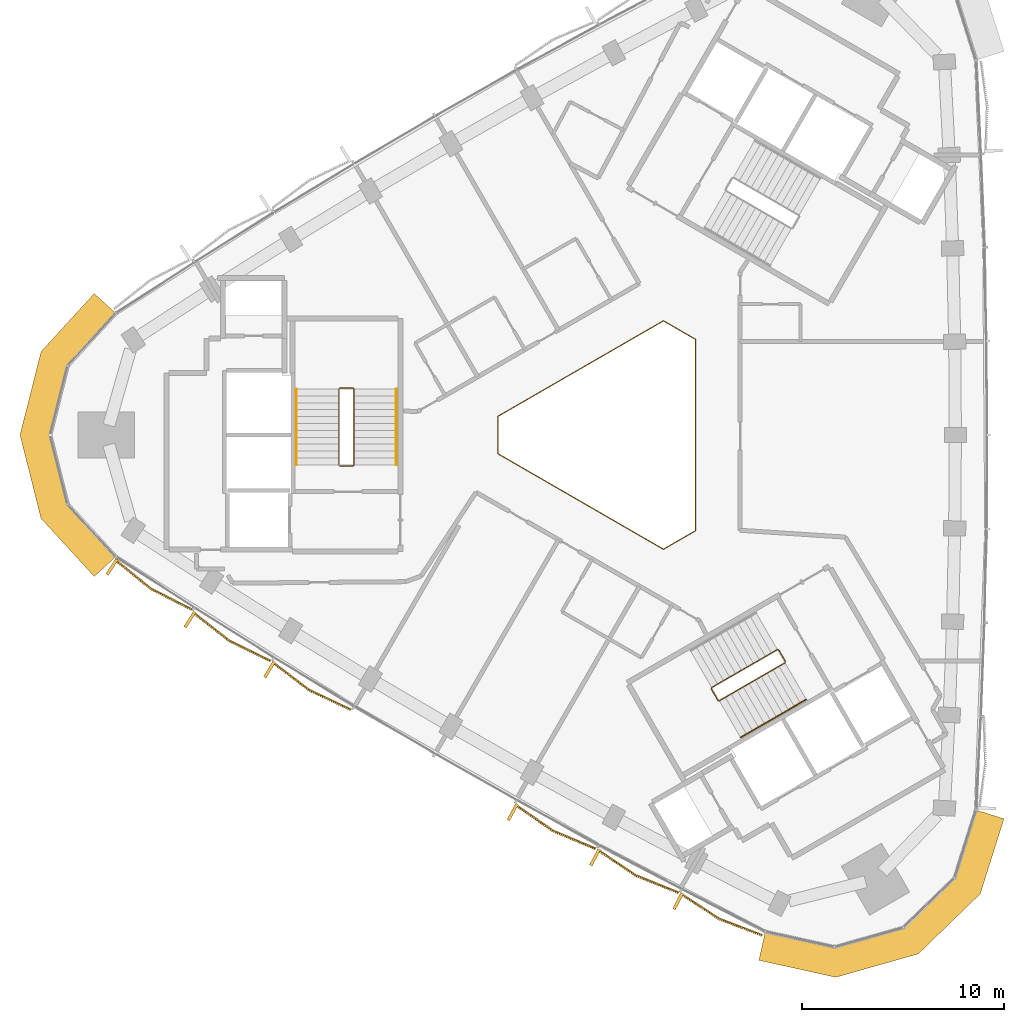
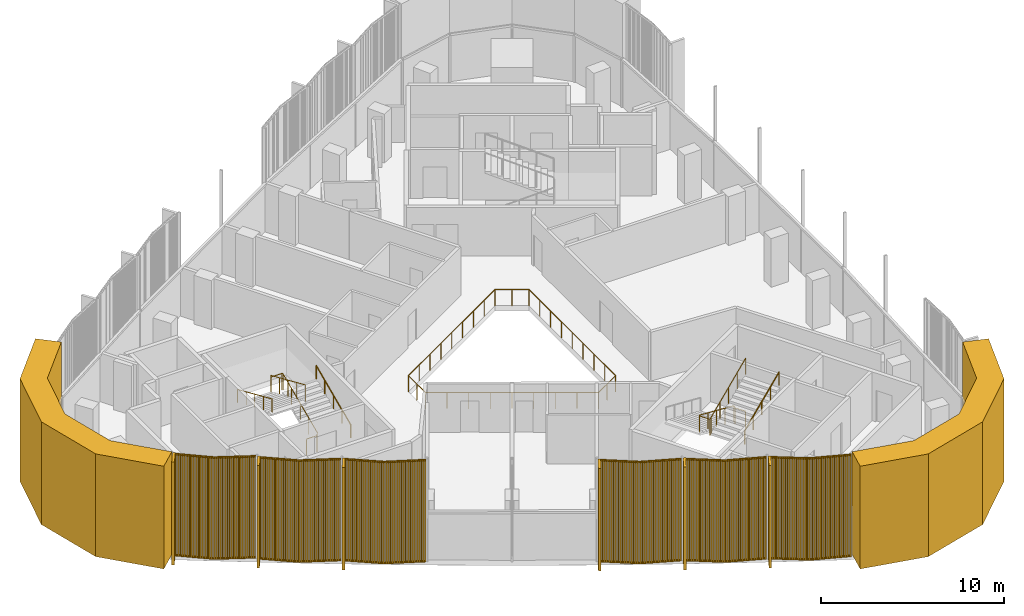
# One storey, part 12 of 14: 8 coverings, 6 railings.
"""IFC4 building model written with IfcOpenShell, lengths in metres."""

from ifc_helpers import new_model, si_unit, direction, frame, frame_2d, origin, origin_2d, place, context, subcontext, project, spatial, polyline, rectangle, circle, outline, extrude, source, transform, mapped, material, layer, layer_set, type_object, element, save


model = new_model("IFC4")

# Units and contexts
model_context = context("Model", 3, precision=1e-05, world=origin(), true_north=direction((0.0, 1.0)))
body_context = subcontext(model_context, "Body", "Model", "MODEL_VIEW")
ifc_project = project(units=[si_unit("LENGTHUNIT", "METRE"), si_unit("AREAUNIT", "SQUARE_METRE"), si_unit("VOLUMEUNIT", "CUBIC_METRE"), si_unit("PLANEANGLEUNIT", "RADIAN"), si_unit("MASSUNIT", "GRAM", prefix="KILO")], contexts=[model_context])

# Site, building, storey
site_placement = place(None, origin())
site = spatial("IfcSite", under=ifc_project, at=site_placement, CompositionType="ELEMENT")
building_placement = place(site_placement, origin())
building = spatial("IfcBuilding", under=site, at=building_placement, Name="Tamra Quay Hotel Tower", CompositionType="ELEMENT")
storey_placement = place(building_placement, frame((0.0, 0.0, 221.39990234375)))
storey = spatial("IfcBuildingStorey", under=building, at=storey_placement, Name="L55", CompositionType="ELEMENT", Elevation=221.39990234375)

# Coverings
ifc_material_1 = material(Name="Precast concrete M60 terracotta-coloured", Category="masonry")
ifc_layer = layer(ifc_material_1, 1.449951171875)
ifc_layer_set = layer_set([ifc_layer], Name="CORNER PIER PANEL")
covering_type_1 = type_object("IfcCoveringType", Name="CORNER PIER PANEL", PredefinedType="CLADDING", material=ifc_layer_set)
covering_1_placement = place(storey_placement, origin())
element("IfcCovering", 1, at=covering_1_placement, inside=storey, type_object=covering_type_1, Name="Corner pier L55.north-west", PredefinedType="CLADDING", context=body_context, shape_type="SweptSolid", body=[
    extrude(outline(polyline([(-24.941650390625, 6.034423828125), (-26.010986328125, 7.013916015625), (-28.645751953125, 4.13720703125), (-29.689697265625, 0.0), (-28.645751953125, -4.13720703125), (-26.010986328125, -7.013916015625), (-24.941650390625, -6.034423828125), (-27.329345703125, -3.427490234375), (-28.1943359375, 0.0), (-27.329345703125, 3.427490234375), (-24.941650390625, 6.034423828125)])), origin(), (0.0, 0.0, 1.0), 6.85009765625),
])
covering_2_placement = place(storey_placement, origin())
element("IfcCovering", 2, at=covering_2_placement, inside=storey, type_object=covering_type_1, Name="Corner pier L55.south-west", PredefinedType="CLADDING", context=body_context, shape_type="SweptSolid", body=[
    extrude(outline(polyline([(7.244873046875, -24.617431640625), (6.931396484375, -26.033203125), (10.739990234375, -26.876708984375), (14.844970703125, -25.712158203125), (17.90576171875, -22.739501953125), (19.07958984375, -19.019287109375), (17.69677734375, -18.5830078125), (16.633056640625, -21.9541015625), (14.09716796875, -24.4169921875), (10.6962890625, -25.3818359375), (7.244873046875, -24.617431640625)])), origin(), (0.0, 0.0, 1.0), 6.85009765625),
])

# Railings
ifc_material_2 = material(Name="Guard atrium edge 1100")
railing_type_1 = type_object("IfcRailingType", Name="Guard atrium edge 1100", PredefinedType="GUARDRAIL", material=ifc_material_2)
railing_1_placement = place(storey_placement, frame((3.800048828125, -4.73388671875, 0.0)))
element("IfcRailing", 3, at=railing_1_placement, inside=storey, type_object=railing_type_1, Name="G-A", PredefinedType="GUARDRAIL", context=body_context, shape_type="SweptSolid", body=[
    extrude(circle(Radius=0.02392578125, at=origin_2d()), frame((0.0, 0.0, 1.076171875), z_axis=(-0.865965533559, -0.500103683937, 0.0), x_axis=(0.500103683937, -0.865965533559, 0.0)), (0.0, 0.0, 1.0), 1.84765625),
    extrude(circle(Radius=0.02392578125, at=origin_2d()), frame((-1.60009765625, -0.924072265625, 1.076171875), z_axis=(-0.86604174356, 0.49997169761, 0.0), x_axis=(-0.49997169761, -0.86604174356, 0.0)), (0.0, 0.0, 1.0), 9.46826171875),
    extrude(circle(Radius=0.02392578125, at=origin_2d()), frame((-9.800048828125, 3.809814453125, 1.076171875), z_axis=(0.0, 1.0, 0.0), x_axis=(-1.0, 0.0, 0.0)), (0.0, 0.0, 1.0), 1.84814453125),
    extrude(circle(Radius=0.02392578125, at=origin_2d()), frame((-9.800048828125, 5.657958984375, 1.076171875), z_axis=(0.86604174356, 0.49997169761, 0.0), x_axis=(-0.49997169761, 0.86604174356, 0.0)), (0.0, 0.0, 1.0), 9.46826171875),
    extrude(circle(Radius=0.02392578125, at=origin_2d()), frame((-1.60009765625, 10.391845703125, 1.076171875), z_axis=(0.865965533559, -0.500103683937, 0.0), x_axis=(0.500103683937, 0.865965533559, 0.0)), (0.0, 0.0, 1.0), 1.84765625),
    extrude(circle(Radius=0.02392578125, at=origin_2d()), frame((0.0, 9.4677734375, 1.076171875), z_axis=(0.0, -1.0, 0.0), x_axis=(1.0, 0.0, 0.0)), (0.0, 0.0, 1.0), 9.4677734375),
    extrude(circle(Radius=0.02099609375, at=origin_2d()), origin(), (0.0, 0.0, 1.0), 1.052001953125),
    extrude(circle(Radius=0.02099609375, at=origin_2d()), frame((-0.800048828125, -0.4619140625, 0.0)), (0.0, 0.0, 1.0), 1.052001953125),
    extrude(circle(Radius=0.02099609375, at=origin_2d()), frame((-1.60009765625, -0.924072265625, 0.0)), (0.0, 0.0, 1.0), 1.052001953125),
    extrude(circle(Radius=0.02099609375, at=origin_2d()), frame((-2.625, -0.332275390625, 0.0)), (0.0, 0.0, 1.0), 1.052001953125),
    extrude(circle(Radius=0.02099609375, at=origin_2d()), frame((-3.650146484375, 0.25927734375, 0.0)), (0.0, 0.0, 1.0), 1.052001953125),
    extrude(circle(Radius=0.02099609375, at=origin_2d()), frame((-4.675048828125, 0.85107421875, 0.0)), (0.0, 0.0, 1.0), 1.052001953125),
    extrude(circle(Radius=0.02099609375, at=origin_2d()), frame((-5.7001953125, 1.44287109375, 0.0)), (0.0, 0.0, 1.0), 1.052001953125),
    extrude(circle(Radius=0.02099609375, at=origin_2d()), frame((-6.72509765625, 2.03466796875, 0.0)), (0.0, 0.0, 1.0), 1.052001953125),
    extrude(circle(Radius=0.02099609375, at=origin_2d()), frame((-7.75, 2.62646484375, 0.0)), (0.0, 0.0, 1.0), 1.052001953125),
    extrude(circle(Radius=0.02099609375, at=origin_2d()), frame((-8.775146484375, 3.218017578125, 0.0)), (0.0, 0.0, 1.0), 1.052001953125),
    extrude(circle(Radius=0.02099609375, at=origin_2d()), frame((-9.800048828125, 3.809814453125, 0.0)), (0.0, 0.0, 1.0), 1.052001953125),
    extrude(circle(Radius=0.02099609375, at=origin_2d()), frame((-9.800048828125, 4.73388671875, 0.0)), (0.0, 0.0, 1.0), 1.052001953125),
    extrude(circle(Radius=0.02099609375, at=origin_2d()), frame((-9.800048828125, 5.657958984375, 0.0)), (0.0, 0.0, 1.0), 1.052001953125),
    extrude(circle(Radius=0.02099609375, at=origin_2d()), frame((-8.775146484375, 6.249755859375, 0.0)), (0.0, 0.0, 1.0), 1.052001953125),
    extrude(circle(Radius=0.02099609375, at=origin_2d()), frame((-7.75, 6.84130859375, 0.0)), (0.0, 0.0, 1.0), 1.052001953125),
    extrude(circle(Radius=0.02099609375, at=origin_2d()), frame((-6.72509765625, 7.43310546875, 0.0)), (0.0, 0.0, 1.0), 1.052001953125),
    extrude(circle(Radius=0.02099609375, at=origin_2d()), frame((-5.7001953125, 8.02490234375, 0.0)), (0.0, 0.0, 1.0), 1.052001953125),
    extrude(circle(Radius=0.02099609375, at=origin_2d()), frame((-4.675048828125, 8.61669921875, 0.0)), (0.0, 0.0, 1.0), 1.052001953125),
    extrude(circle(Radius=0.02099609375, at=origin_2d()), frame((-3.650146484375, 9.20849609375, 0.0)), (0.0, 0.0, 1.0), 1.052001953125),
    extrude(circle(Radius=0.02099609375, at=origin_2d()), frame((-2.625, 9.800048828125, 0.0)), (0.0, 0.0, 1.0), 1.052001953125),
    extrude(circle(Radius=0.02099609375, at=origin_2d()), frame((-1.60009765625, 10.391845703125, 0.0)), (0.0, 0.0, 1.0), 1.052001953125),
    extrude(circle(Radius=0.02099609375, at=origin_2d()), frame((-0.800048828125, 9.9296875, 0.0)), (0.0, 0.0, 1.0), 1.052001953125),
    extrude(circle(Radius=0.02099609375, at=origin_2d()), frame((0.0, 9.4677734375, 0.0)), (0.0, 0.0, 1.0), 1.052001953125),
    extrude(circle(Radius=0.02099609375, at=origin_2d()), frame((0.0, 8.2841796875, 0.0)), (0.0, 0.0, 1.0), 1.052001953125),
    extrude(circle(Radius=0.02099609375, at=origin_2d()), frame((0.0, 7.100830078125, 0.0)), (0.0, 0.0, 1.0), 1.052001953125),
    extrude(circle(Radius=0.02099609375, at=origin_2d()), frame((0.0, 5.91748046875, 0.0)), (0.0, 0.0, 1.0), 1.052001953125),
    extrude(circle(Radius=0.02099609375, at=origin_2d()), frame((0.0, 4.73388671875, 0.0)), (0.0, 0.0, 1.0), 1.052001953125),
    extrude(circle(Radius=0.02099609375, at=origin_2d()), frame((0.0, 3.55029296875, 0.0)), (0.0, 0.0, 1.0), 1.052001953125),
    extrude(circle(Radius=0.02099609375, at=origin_2d()), frame((0.0, 2.366943359375, 0.0)), (0.0, 0.0, 1.0), 1.052001953125),
    extrude(circle(Radius=0.02099609375, at=origin_2d()), frame((0.0, 1.18359375, 0.0)), (0.0, 0.0, 1.0), 1.052001953125),
])
ifc_material_3 = material(Name="Stair guard 1100")
railing_type_2 = type_object("IfcRailingType", Name="Stair guard 1100", PredefinedType="GUARDRAIL", material=ifc_material_3)
railing_2_placement = place(storey_placement, frame((-13.84130859375, -1.530029296875, 0.0)))
element("IfcRailing", 4, at=railing_2_placement, inside=storey, type_object=railing_type_2, Name="GR", PredefinedType="GUARDRAIL", context=body_context, shape_type="SweptSolid", body=[
    extrude(circle(Radius=0.02392578125, at=origin_2d()), frame((0.0, 0.0, 1.076171875), z_axis=(1.0, 0.0, 0.0), x_axis=(0.0, 1.0, 0.0)), (0.0, 0.0, 1.0), 0.658935546875),
    extrude(circle(Radius=0.02392578125, at=origin_2d()), frame((0.658935546875, 0.0, 1.076171875), z_axis=(0.301511344578, 0.301511344578, 0.904534033733), x_axis=(-0.707106781187, 0.707106781187, 0.0)), (0.0, 0.0, 1.0), 0.166015625),
    extrude(circle(Radius=0.02392578125, at=origin_2d()), frame((0.708984375, 0.050048828125, 1.22607421875), z_axis=(0.0, 0.915795495799, 0.401644880304), x_axis=(-1.0, 0.0, 0.0)), (0.0, 0.0, 1.0), 4.10791015625),
    extrude(circle(Radius=0.02392578125, at=origin_2d()), frame((0.708984375, 3.81201171875, 2.8759765625), z_axis=(-0.708833529934, 0.705375805398, 0.0), x_axis=(-0.705375805398, -0.708833529934, 0.0)), (0.0, 0.0, 1.0), 0.070556640625),
    extrude(circle(Radius=0.02392578125, at=origin_2d()), frame((0.658935546875, 3.86181640625, 2.8759765625), z_axis=(-1.0, 0.0, 0.0), x_axis=(0.0, -1.0, 0.0)), (0.0, 0.0, 1.0), 0.658935546875),
    extrude(circle(Radius=0.02392578125, at=origin_2d()), frame((0.0, 3.86181640625, 2.8759765625), z_axis=(-0.301644814947, -0.300173376825, 0.904934444842), x_axis=(0.705375805398, -0.708833529934, 0.0)), (0.0, 0.0, 1.0), 0.166015625),
    extrude(circle(Radius=0.02392578125, at=origin_2d()), frame((-0.050048828125, 3.81201171875, 3.0263671875), z_axis=(0.0, -0.915795495799, 0.401644880304), x_axis=(1.0, 0.0, 0.0)), (0.0, 0.0, 1.0), 4.10791015625),
    extrude(circle(Radius=0.02099609375, at=origin_2d()), origin(), (0.0, 0.0, 1.0), 1.052001953125),
    extrude(circle(Radius=0.02099609375, at=origin_2d()), frame((0.658935546875, 0.0, 0.0)), (0.0, 0.0, 1.0), 1.052001953125),
    extrude(circle(Radius=0.02099609375, at=origin_2d()), frame((0.708984375, 0.050048828125, 0.150146484375)), (0.0, 0.0, 1.0), 1.052001953125),
    extrude(circle(Radius=0.02099609375, at=origin_2d()), frame((0.708984375, 0.990478515625, 0.5625)), (0.0, 0.0, 1.0), 1.052001953125),
    extrude(circle(Radius=0.02099609375, at=origin_2d()), frame((0.708984375, 1.93115234375, 0.97509765625)), (0.0, 0.0, 1.0), 1.052001953125),
    extrude(circle(Radius=0.02099609375, at=origin_2d()), frame((0.708984375, 2.87158203125, 1.3876953125)), (0.0, 0.0, 1.0), 1.052001953125),
    extrude(circle(Radius=0.02099609375, at=origin_2d()), frame((0.708984375, 3.81201171875, 1.800048828125)), (0.0, 0.0, 1.0), 1.052001953125),
    extrude(circle(Radius=0.02099609375, at=origin_2d()), frame((0.658935546875, 3.86181640625, 1.800048828125)), (0.0, 0.0, 1.0), 1.052001953125),
    extrude(circle(Radius=0.02099609375, at=origin_2d()), frame((0.0, 3.86181640625, 1.800048828125)), (0.0, 0.0, 1.0), 1.052001953125),
    extrude(circle(Radius=0.02099609375, at=origin_2d()), frame((-0.050048828125, 3.81201171875, 1.9501953125)), (0.0, 0.0, 1.0), 1.052001953125),
    extrude(circle(Radius=0.02099609375, at=origin_2d()), frame((-0.050048828125, 2.87158203125, 2.36279296875)), (0.0, 0.0, 1.0), 1.052001953125),
    extrude(circle(Radius=0.02099609375, at=origin_2d()), frame((-0.050048828125, 1.93115234375, 2.775146484375)), (0.0, 0.0, 1.0), 1.052001953125),
    extrude(circle(Radius=0.02099609375, at=origin_2d()), frame((-0.050048828125, 0.990478515625, 3.1875)), (0.0, 0.0, 1.0), 1.052001953125),
    extrude(circle(Radius=0.02099609375, at=origin_2d()), frame((-0.050048828125, 0.050048828125, 3.60009765625)), (0.0, 0.0, 1.0), 1.052001953125),
])
railing_3_placement = place(storey_placement, frame((8.245849609375, -11.221923828125, 0.0)))
element("IfcRailing", 5, at=railing_3_placement, inside=storey, type_object=railing_type_2, Name="GR", PredefinedType="GUARDRAIL", context=body_context, shape_type="SweptSolid", body=[
    extrude(circle(Radius=0.02392578125, at=origin_2d()), frame((0.0, 0.0, 1.076171875), z_axis=(-0.500043078269, 0.866000531106, 0.0), x_axis=(-0.866000531106, -0.500043078269, 0.0)), (0.0, 0.0, 1.0), 0.6591796875),
    extrude(circle(Radius=0.02392578125, at=origin_2d()), frame((-0.32958984375, 0.57080078125, 1.076171875), z_axis=(-0.411831509231, 0.110312011401, 0.90455849349), x_axis=(-0.258736085224, -0.965948051503, 0.0)), (0.0, 0.0, 1.0), 0.166015625),
    extrude(circle(Radius=0.02392578125, at=origin_2d()), frame((-0.39794921875, 0.589111328125, 1.22607421875), z_axis=(-0.793100512587, -0.457912285461, 0.401631567183), x_axis=(0.500012686397, -0.866018079166, 0.0)), (0.0, 0.0, 1.0), 4.10791015625),
    extrude(circle(Radius=0.02392578125, at=origin_2d()), frame((-3.656005859375, -1.2919921875, 2.8759765625), z_axis=(-0.256368644879, -0.966579080015, 0.0), x_axis=(0.966579080015, -0.256368644879, 0.0)), (0.0, 0.0, 1.0), 0.070556640625),
    extrude(circle(Radius=0.02392578125, at=origin_2d()), frame((-3.674072265625, -1.360107421875, 2.8759765625), z_axis=(0.499765215335, -0.866160914346, 0.0), x_axis=(0.866160914346, 0.499765215335, 0.0)), (0.0, 0.0, 1.0), 0.658935546875),
    extrude(circle(Radius=0.02392578125, at=origin_2d()), frame((-3.3447265625, -1.930908203125, 2.8759765625), z_axis=(0.411831509231, -0.110312011401, 0.90455849349), x_axis=(0.258736085224, 0.965948051503, 0.0)), (0.0, 0.0, 1.0), 0.166015625),
    extrude(circle(Radius=0.02392578125, at=origin_2d()), frame((-3.2763671875, -1.94921875, 3.0263671875), z_axis=(0.793100512587, 0.457912285461, 0.401631567183), x_axis=(-0.500012686397, 0.866018079166, 0.0)), (0.0, 0.0, 1.0), 4.10791015625),
    extrude(circle(Radius=0.02099609375, at=origin_2d()), origin(), (0.0, 0.0, 1.0), 1.052001953125),
    extrude(circle(Radius=0.02099609375, at=origin_2d()), frame((-0.32958984375, 0.57080078125, 0.0)), (0.0, 0.0, 1.0), 1.052001953125),
    extrude(circle(Radius=0.02099609375, at=origin_2d()), frame((-0.39794921875, 0.589111328125, 0.150146484375)), (0.0, 0.0, 1.0), 1.052001953125),
    extrude(circle(Radius=0.02099609375, at=origin_2d()), frame((-1.21240234375, 0.118896484375, 0.5625)), (0.0, 0.0, 1.0), 1.052001953125),
    extrude(circle(Radius=0.02099609375, at=origin_2d()), frame((-2.02685546875, -0.3515625, 0.97509765625)), (0.0, 0.0, 1.0), 1.052001953125),
    extrude(circle(Radius=0.02099609375, at=origin_2d()), frame((-2.841552734375, -0.82177734375, 1.3876953125)), (0.0, 0.0, 1.0), 1.052001953125),
    extrude(circle(Radius=0.02099609375, at=origin_2d()), frame((-3.656005859375, -1.2919921875, 1.800048828125)), (0.0, 0.0, 1.0), 1.052001953125),
    extrude(circle(Radius=0.02099609375, at=origin_2d()), frame((-3.674072265625, -1.360107421875, 1.800048828125)), (0.0, 0.0, 1.0), 1.052001953125),
    extrude(circle(Radius=0.02099609375, at=origin_2d()), frame((-3.3447265625, -1.930908203125, 1.800048828125)), (0.0, 0.0, 1.0), 1.052001953125),
    extrude(circle(Radius=0.02099609375, at=origin_2d()), frame((-3.2763671875, -1.94921875, 1.9501953125)), (0.0, 0.0, 1.0), 1.052001953125),
    extrude(circle(Radius=0.02099609375, at=origin_2d()), frame((-2.4619140625, -1.47900390625, 2.36279296875)), (0.0, 0.0, 1.0), 1.052001953125),
    extrude(circle(Radius=0.02099609375, at=origin_2d()), frame((-1.6474609375, -1.0087890625, 2.775146484375)), (0.0, 0.0, 1.0), 1.052001953125),
    extrude(circle(Radius=0.02099609375, at=origin_2d()), frame((-0.832763671875, -0.538330078125, 3.1875)), (0.0, 0.0, 1.0), 1.052001953125),
    extrude(circle(Radius=0.02099609375, at=origin_2d()), frame((-0.018310546875, -0.068115234375, 3.60009765625)), (0.0, 0.0, 1.0), 1.052001953125),
])
ifc_material_4 = material(Name="Stair handrail 900")
railing_type_3 = type_object("IfcRailingType", Name="Stair handrail 900", PredefinedType="HANDRAIL", material=ifc_material_4)
railing_4_placement = place(storey_placement, frame((-11.0322265625, -1.47998046875, 0.150146484375)))
element("IfcRailing", 6, at=railing_4_placement, inside=storey, type_object=railing_type_3, Name="HR", PredefinedType="HANDRAIL", context=body_context, shape_type="SweptSolid", body=[
    extrude(circle(Radius=0.02392578125, at=origin_2d()), frame((0.0, 0.0, 0.8759765625), z_axis=(0.0, 0.915795495799, 0.401644880304), x_axis=(-1.0, 0.0, 0.0)), (0.0, 0.0, 1.0), 4.10791015625),
    extrude(circle(Radius=0.02099609375, at=origin_2d()), origin(), (0.0, 0.0, 1.0), 0.851806640625),
    extrude(circle(Radius=0.02099609375, at=origin_2d()), frame((0.0, 0.9404296875, 0.41259765625)), (0.0, 0.0, 1.0), 0.851806640625),
    extrude(circle(Radius=0.02099609375, at=origin_2d()), frame((0.0, 1.880859375, 0.824951171875)), (0.0, 0.0, 1.0), 0.851806640625),
    extrude(circle(Radius=0.02099609375, at=origin_2d()), frame((0.0, 2.821533203125, 1.2373046875)), (0.0, 0.0, 1.0), 0.851806640625),
    extrude(circle(Radius=0.02099609375, at=origin_2d()), frame((0.0, 3.761962890625, 1.64990234375)), (0.0, 0.0, 1.0), 0.851806640625),
])
railing_5_placement = place(storey_placement, frame((-15.9912109375, 2.281982421875, 1.9501953125)))
element("IfcRailing", 7, at=railing_5_placement, inside=storey, type_object=railing_type_3, Name="HR", PredefinedType="HANDRAIL", context=body_context, shape_type="SweptSolid", body=[
    extrude(circle(Radius=0.02392578125, at=origin_2d()), frame((0.0, 0.0, 0.8759765625), z_axis=(0.0, -0.915795495799, 0.401644880304), x_axis=(1.0, 0.0, 0.0)), (0.0, 0.0, 1.0), 4.10791015625),
    extrude(circle(Radius=0.02099609375, at=origin_2d()), origin(), (0.0, 0.0, 1.0), 0.851806640625),
    extrude(circle(Radius=0.02099609375, at=origin_2d()), frame((0.0, -0.9404296875, 0.41259765625)), (0.0, 0.0, 1.0), 0.851806640625),
    extrude(circle(Radius=0.02099609375, at=origin_2d()), frame((0.0, -1.880859375, 0.824951171875)), (0.0, 0.0, 1.0), 0.851806640625),
    extrude(circle(Radius=0.02099609375, at=origin_2d()), frame((0.0, -2.821533203125, 1.2373046875)), (0.0, 0.0, 1.0), 0.851806640625),
    extrude(circle(Radius=0.02099609375, at=origin_2d()), frame((0.0, -3.761962890625, 1.64990234375)), (0.0, 0.0, 1.0), 0.851806640625),
])
railing_6_placement = place(storey_placement, frame((6.01953125, -14.98974609375, 1.9501953125)))
element("IfcRailing", 8, at=railing_6_placement, inside=storey, type_object=railing_type_3, Name="HR", PredefinedType="HANDRAIL", context=body_context, shape_type="SweptSolid", body=[
    extrude(circle(Radius=0.02392578125, at=origin_2d()), frame((0.0, 0.0, 0.8759765625), z_axis=(0.79310004713, 0.457886897714, 0.401661429744), x_axis=(-0.499992114976, 0.866029956157, 0.0)), (0.0, 0.0, 1.0), 4.107666015625),
    extrude(circle(Radius=0.02099609375, at=origin_2d()), origin(), (0.0, 0.0, 1.0), 0.851806640625),
    extrude(circle(Radius=0.02099609375, at=origin_2d()), frame((0.814453125, 0.47021484375, 0.41259765625)), (0.0, 0.0, 1.0), 0.851806640625),
    extrude(circle(Radius=0.02099609375, at=origin_2d()), frame((1.62890625, 0.9404296875, 0.824951171875)), (0.0, 0.0, 1.0), 0.851806640625),
    extrude(circle(Radius=0.02099609375, at=origin_2d()), frame((2.443359375, 1.41064453125, 1.2373046875)), (0.0, 0.0, 1.0), 0.851806640625),
    extrude(circle(Radius=0.02099609375, at=origin_2d()), frame((3.2578125, 1.880859375, 1.64990234375)), (0.0, 0.0, 1.0), 0.851806640625),
])

# Coverings
ifc_material_5 = material(Name="Terracotta baguette extruded", Category="masonry")
covering_type_2 = type_object("IfcCoveringType", Name="BAGUETTE SCREEN SW-V H6850", PredefinedType="USERDEFINED", material=ifc_material_5)
shared_shape = source(origin(), body_context, "Body", "SweptSolid", [
    extrude(rectangle(XDim=2.295166015625, YDim=0.06005859375, at=frame_2d((1.1474609375, 0.030029296875))), frame((-2.288818359375, -0.0576171875, -0.1201171875), z_axis=(0.0, 0.0, 1.0), x_axis=(0.994521895368, -0.104528463268, 0.0)), (0.0, 0.0, 1.0), 0.1201171875),
    extrude(rectangle(XDim=2.295166015625, YDim=0.06005859375, at=frame_2d((1.1474609375, 0.030029296875))), frame((-2.288818359375, -0.0576171875, -6.85009765625), z_axis=(0.0, 0.0, 1.0), x_axis=(0.994521895368, -0.104528463268, 0.0)), (0.0, 0.0, 1.0), 0.1201171875),
    extrude(rectangle(XDim=0.070068359375, YDim=0.10009765625, at=frame_2d((0.03515625, 0.050048828125))), frame((-2.267822265625, -0.13330078125, -6.7900390625)), (0.0, 0.0, 1.0), 6.72998046875),
    extrude(rectangle(XDim=0.070068359375, YDim=0.10009765625, at=frame_2d((0.03515625, 0.050048828125))), frame((-2.168701171875, -0.1435546875, -6.7900390625)), (0.0, 0.0, 1.0), 6.72998046875),
    extrude(rectangle(XDim=0.070068359375, YDim=0.10009765625, at=frame_2d((0.03515625, 0.050048828125))), frame((-2.0693359375, -0.154052734375, -6.7900390625)), (0.0, 0.0, 1.0), 6.72998046875),
    extrude(rectangle(XDim=0.070068359375, YDim=0.10009765625, at=frame_2d((0.03515625, 0.050048828125))), frame((-1.97021484375, -0.16455078125, -6.7900390625)), (0.0, 0.0, 1.0), 6.72998046875),
    extrude(rectangle(XDim=0.070068359375, YDim=0.10009765625, at=frame_2d((0.03515625, 0.050048828125))), frame((-1.870849609375, -0.175048828125, -6.7900390625)), (0.0, 0.0, 1.0), 6.72998046875),
    extrude(rectangle(XDim=0.070068359375, YDim=0.10009765625, at=frame_2d((0.03515625, 0.050048828125))), frame((-1.771728515625, -0.185302734375, -6.7900390625)), (0.0, 0.0, 1.0), 6.72998046875),
    extrude(rectangle(XDim=0.070068359375, YDim=0.10009765625, at=frame_2d((0.03515625, 0.050048828125))), frame((-1.67236328125, -0.19580078125, -6.7900390625)), (0.0, 0.0, 1.0), 6.72998046875),
    extrude(rectangle(XDim=0.070068359375, YDim=0.10009765625, at=frame_2d((0.03515625, 0.050048828125))), frame((-1.5732421875, -0.206298828125, -6.7900390625)), (0.0, 0.0, 1.0), 6.72998046875),
    extrude(rectangle(XDim=0.070068359375, YDim=0.10009765625, at=frame_2d((0.03515625, 0.050048828125))), frame((-1.473876953125, -0.216552734375, -6.7900390625)), (0.0, 0.0, 1.0), 6.72998046875),
    extrude(rectangle(XDim=0.070068359375, YDim=0.10009765625, at=frame_2d((0.03515625, 0.050048828125))), frame((-1.374755859375, -0.22705078125, -6.7900390625)), (0.0, 0.0, 1.0), 6.72998046875),
    extrude(rectangle(XDim=0.070068359375, YDim=0.10009765625, at=frame_2d((0.03515625, 0.050048828125))), frame((-1.275390625, -0.237548828125, -6.7900390625)), (0.0, 0.0, 1.0), 6.72998046875),
    extrude(rectangle(XDim=0.070068359375, YDim=0.10009765625, at=frame_2d((0.03515625, 0.050048828125))), frame((-1.17626953125, -0.248046875, -6.7900390625)), (0.0, 0.0, 1.0), 6.72998046875),
    extrude(rectangle(XDim=0.070068359375, YDim=0.10009765625, at=frame_2d((0.03515625, 0.050048828125))), frame((-1.076904296875, -0.25830078125, -6.7900390625)), (0.0, 0.0, 1.0), 6.72998046875),
    extrude(rectangle(XDim=0.070068359375, YDim=0.10009765625, at=frame_2d((0.03515625, 0.050048828125))), frame((-0.977783203125, -0.268798828125, -6.7900390625)), (0.0, 0.0, 1.0), 6.72998046875),
    extrude(rectangle(XDim=0.070068359375, YDim=0.10009765625, at=frame_2d((0.03515625, 0.050048828125))), frame((-0.87841796875, -0.279296875, -6.7900390625)), (0.0, 0.0, 1.0), 6.72998046875),
    extrude(rectangle(XDim=0.070068359375, YDim=0.10009765625, at=frame_2d((0.03515625, 0.050048828125))), frame((-0.779296875, -0.28955078125, -6.7900390625)), (0.0, 0.0, 1.0), 6.72998046875),
    extrude(rectangle(XDim=0.070068359375, YDim=0.10009765625, at=frame_2d((0.03515625, 0.050048828125))), frame((-0.679931640625, -0.300048828125, -6.7900390625)), (0.0, 0.0, 1.0), 6.72998046875),
    extrude(rectangle(XDim=0.070068359375, YDim=0.10009765625, at=frame_2d((0.03515625, 0.050048828125))), frame((-0.580810546875, -0.310546875, -6.7900390625)), (0.0, 0.0, 1.0), 6.72998046875),
    extrude(rectangle(XDim=0.070068359375, YDim=0.10009765625, at=frame_2d((0.03515625, 0.050048828125))), frame((-0.481689453125, -0.321044921875, -6.7900390625)), (0.0, 0.0, 1.0), 6.72998046875),
    extrude(rectangle(XDim=0.070068359375, YDim=0.10009765625, at=frame_2d((0.03515625, 0.050048828125))), frame((-0.38232421875, -0.331298828125, -6.7900390625)), (0.0, 0.0, 1.0), 6.72998046875),
    extrude(rectangle(XDim=0.070068359375, YDim=0.10009765625, at=frame_2d((0.03515625, 0.050048828125))), frame((-0.283203125, -0.341796875, -6.7900390625)), (0.0, 0.0, 1.0), 6.72998046875),
    extrude(rectangle(XDim=0.070068359375, YDim=0.10009765625, at=frame_2d((0.03515625, 0.050048828125))), frame((-0.183837890625, -0.352294921875, -6.7900390625)), (0.0, 0.0, 1.0), 6.72998046875),
    extrude(rectangle(XDim=0.070068359375, YDim=0.10009765625, at=frame_2d((0.03515625, 0.050048828125))), frame((-0.084716796875, -0.36279296875, -6.7900390625)), (0.0, 0.0, 1.0), 6.72998046875),
    extrude(rectangle(XDim=2.295166015625, YDim=0.06005859375, at=frame_2d((1.1474609375, 0.030029296875))), frame((0.00634765625, -0.297607421875, -0.1201171875), z_axis=(0.0, 0.0, 1.0), x_axis=(0.994521895368, 0.104528463268, 0.0)), (0.0, 0.0, 1.0), 0.1201171875),
    extrude(rectangle(XDim=2.295166015625, YDim=0.06005859375, at=frame_2d((1.1474609375, 0.030029296875))), frame((0.00634765625, -0.297607421875, -6.85009765625), z_axis=(0.0, 0.0, 1.0), x_axis=(0.994521895368, 0.104528463268, 0.0)), (0.0, 0.0, 1.0), 0.1201171875),
    extrude(rectangle(XDim=0.070068359375, YDim=0.10009765625, at=frame_2d((0.03515625, 0.050048828125))), frame((0.0146484375, -0.36279296875, -6.7900390625)), (0.0, 0.0, 1.0), 6.72998046875),
    extrude(rectangle(XDim=0.070068359375, YDim=0.10009765625, at=frame_2d((0.03515625, 0.050048828125))), frame((0.11376953125, -0.352294921875, -6.7900390625)), (0.0, 0.0, 1.0), 6.72998046875),
    extrude(rectangle(XDim=0.070068359375, YDim=0.10009765625, at=frame_2d((0.03515625, 0.050048828125))), frame((0.213134765625, -0.341796875, -6.7900390625)), (0.0, 0.0, 1.0), 6.72998046875),
    extrude(rectangle(XDim=0.070068359375, YDim=0.10009765625, at=frame_2d((0.03515625, 0.050048828125))), frame((0.312255859375, -0.331298828125, -6.7900390625)), (0.0, 0.0, 1.0), 6.72998046875),
    extrude(rectangle(XDim=0.070068359375, YDim=0.10009765625, at=frame_2d((0.03515625, 0.050048828125))), frame((0.41162109375, -0.321044921875, -6.7900390625)), (0.0, 0.0, 1.0), 6.72998046875),
    extrude(rectangle(XDim=0.070068359375, YDim=0.10009765625, at=frame_2d((0.03515625, 0.050048828125))), frame((0.5107421875, -0.310546875, -6.7900390625)), (0.0, 0.0, 1.0), 6.72998046875),
    extrude(rectangle(XDim=0.070068359375, YDim=0.10009765625, at=frame_2d((0.03515625, 0.050048828125))), frame((0.610107421875, -0.300048828125, -6.7900390625)), (0.0, 0.0, 1.0), 6.72998046875),
    extrude(rectangle(XDim=0.070068359375, YDim=0.10009765625, at=frame_2d((0.03515625, 0.050048828125))), frame((0.709228515625, -0.28955078125, -6.7900390625)), (0.0, 0.0, 1.0), 6.72998046875),
    extrude(rectangle(XDim=0.070068359375, YDim=0.10009765625, at=frame_2d((0.03515625, 0.050048828125))), frame((0.80859375, -0.279296875, -6.7900390625)), (0.0, 0.0, 1.0), 6.72998046875),
    extrude(rectangle(XDim=0.070068359375, YDim=0.10009765625, at=frame_2d((0.03515625, 0.050048828125))), frame((0.90771484375, -0.268798828125, -6.7900390625)), (0.0, 0.0, 1.0), 6.72998046875),
    extrude(rectangle(XDim=0.070068359375, YDim=0.10009765625, at=frame_2d((0.03515625, 0.050048828125))), frame((1.007080078125, -0.25830078125, -6.7900390625)), (0.0, 0.0, 1.0), 6.72998046875),
    extrude(rectangle(XDim=0.070068359375, YDim=0.10009765625, at=frame_2d((0.03515625, 0.050048828125))), frame((1.106201171875, -0.248046875, -6.7900390625)), (0.0, 0.0, 1.0), 6.72998046875),
    extrude(rectangle(XDim=0.070068359375, YDim=0.10009765625, at=frame_2d((0.03515625, 0.050048828125))), frame((1.20556640625, -0.237548828125, -6.7900390625)), (0.0, 0.0, 1.0), 6.72998046875),
    extrude(rectangle(XDim=0.070068359375, YDim=0.10009765625, at=frame_2d((0.03515625, 0.050048828125))), frame((1.3046875, -0.22705078125, -6.7900390625)), (0.0, 0.0, 1.0), 6.72998046875),
    extrude(rectangle(XDim=0.070068359375, YDim=0.10009765625, at=frame_2d((0.03515625, 0.050048828125))), frame((1.404052734375, -0.216552734375, -6.7900390625)), (0.0, 0.0, 1.0), 6.72998046875),
    extrude(rectangle(XDim=0.070068359375, YDim=0.10009765625, at=frame_2d((0.03515625, 0.050048828125))), frame((1.503173828125, -0.206298828125, -6.7900390625)), (0.0, 0.0, 1.0), 6.72998046875),
    extrude(rectangle(XDim=0.070068359375, YDim=0.10009765625, at=frame_2d((0.03515625, 0.050048828125))), frame((1.6025390625, -0.19580078125, -6.7900390625)), (0.0, 0.0, 1.0), 6.72998046875),
    extrude(rectangle(XDim=0.070068359375, YDim=0.10009765625, at=frame_2d((0.03515625, 0.050048828125))), frame((1.70166015625, -0.185302734375, -6.7900390625)), (0.0, 0.0, 1.0), 6.72998046875),
    extrude(rectangle(XDim=0.070068359375, YDim=0.10009765625, at=frame_2d((0.03515625, 0.050048828125))), frame((1.801025390625, -0.175048828125, -6.7900390625)), (0.0, 0.0, 1.0), 6.72998046875),
    extrude(rectangle(XDim=0.070068359375, YDim=0.10009765625, at=frame_2d((0.03515625, 0.050048828125))), frame((1.900146484375, -0.16455078125, -6.7900390625)), (0.0, 0.0, 1.0), 6.72998046875),
    extrude(rectangle(XDim=0.070068359375, YDim=0.10009765625, at=frame_2d((0.03515625, 0.050048828125))), frame((1.99951171875, -0.154052734375, -6.7900390625)), (0.0, 0.0, 1.0), 6.72998046875),
    extrude(rectangle(XDim=0.070068359375, YDim=0.10009765625, at=frame_2d((0.03515625, 0.050048828125))), frame((2.0986328125, -0.1435546875, -6.7900390625)), (0.0, 0.0, 1.0), 6.72998046875),
    extrude(rectangle(XDim=0.070068359375, YDim=0.10009765625, at=frame_2d((0.03515625, 0.050048828125))), frame((2.197998046875, -0.13330078125, -6.7900390625)), (0.0, 0.0, 1.0), 6.72998046875),
    extrude(rectangle(XDim=0.14990234375, YDim=0.902099609375, at=frame_2d((0.074951171875, 0.451171875))), frame((-2.282470703125, -0.89990234375, -6.85009765625)), (0.0, 0.0, 1.0), 6.85009765625),
])
for number, where, z_axis, x_axis, name in (
    (9, (-23.036376953125, -7.3681640625, 6.85009765625), (0.0, 0.0, 1.0), (0.839178810526, -0.543855609481, 0.0), "Baguette screen L55.SW.f00"),
    (10, (-19.161376953125, -9.940185546875, 6.85009765625), (0.0, 0.0, 1.0), (0.847068237769, -0.531484148929, 0.0), "Baguette screen L55.SW.f01"),
    (11, (-15.2041015625, -12.3828125, 6.85009765625), (0.0, 0.0, 1.0), (0.854783158184, -0.518985310471, 0.0), "Baguette screen L55.SW.f02"),
    (12, (-3.121826171875, -19.3583984375, 6.85009765625), (0.0, 0.0, 1.0), (0.876846042151, -0.480771274479, 0.0), "Baguette screen L55.SW.f05"),
    (13, (0.972412109375, -21.564208984375, 6.85009765625), (0.0, 0.0, 1.0), (0.883812893566, -0.467840538183, 0.0), "Baguette screen L55.SW.f06"),
    (14, (5.0986328125, -23.7099609375, 6.85009765625), (0.0, 0.0, 1.0), (0.890582179064, -0.454822363492, 0.0), "Baguette screen L55.SW.f07"),
):
    element("IfcCovering", number, at=place(storey_placement, frame(where, z_axis=z_axis, x_axis=x_axis)), inside=storey, type_object=covering_type_2, Name=name, ObjectType="BAGUETTE SCREEN", PredefinedType="USERDEFINED", context=body_context, shape_type="MappedRepresentation", body=[
        mapped(shared_shape, transform((0.0, 0.0, 0.0), scale=1.0)),
    ])

save(model, "model.ifc")
